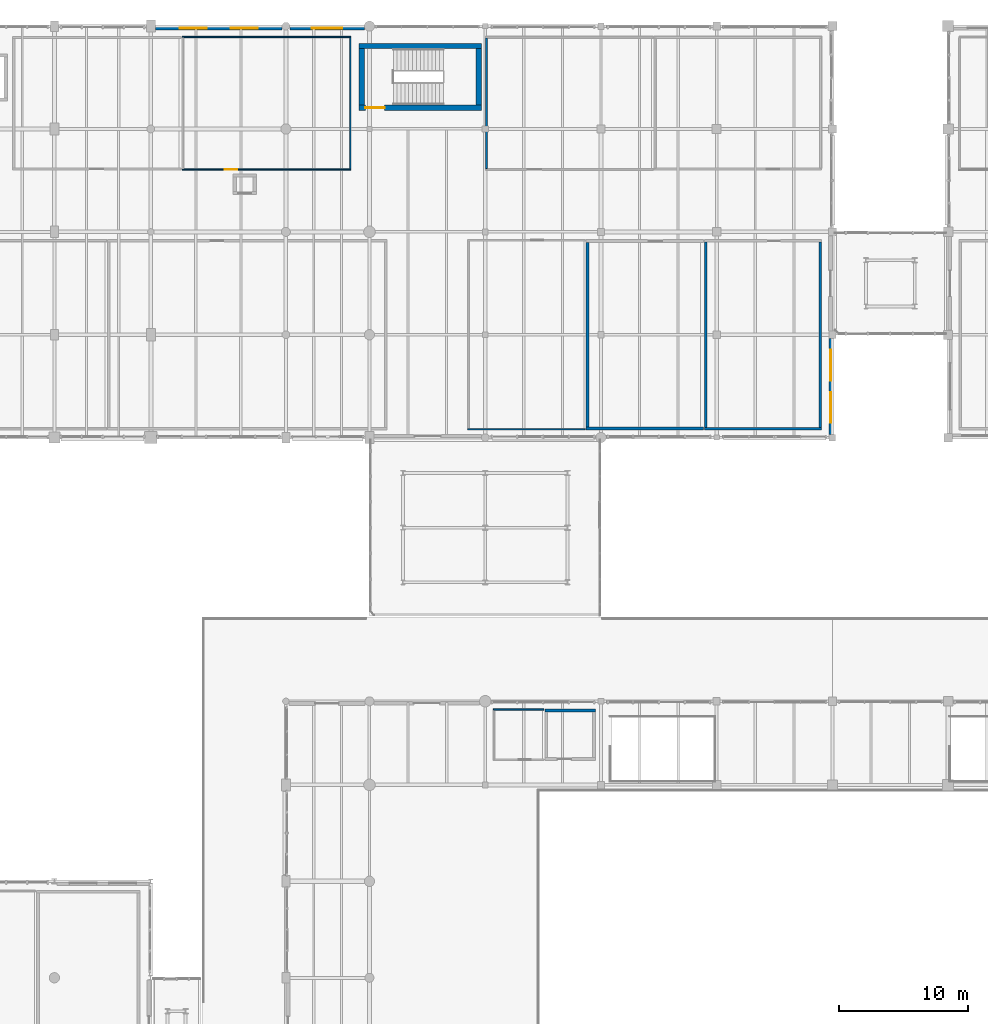
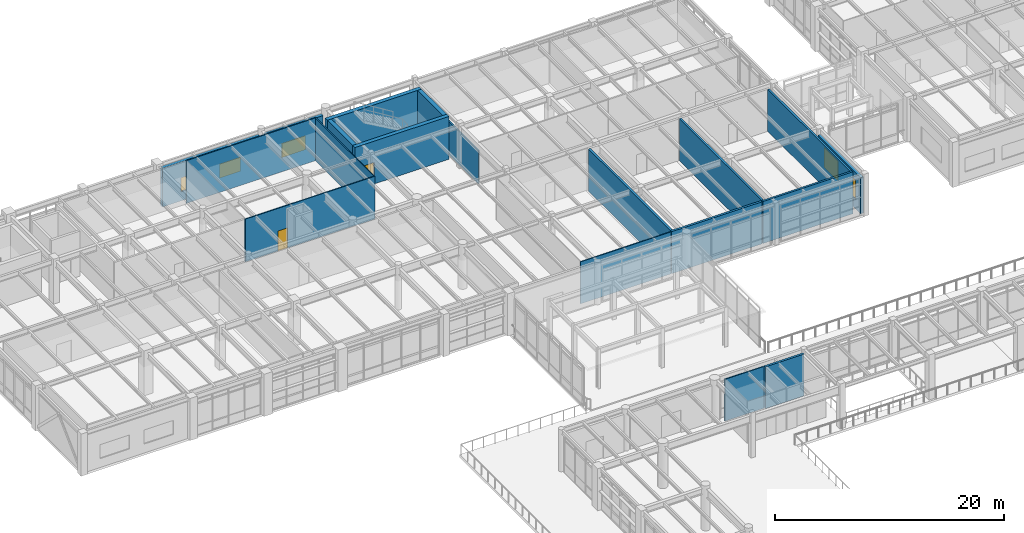
# One storey, part 176 of 200: 19 walls, 5 windows, 2 doors, 7 openings.
"""IFC4 building model written with IfcOpenShell, lengths in metres."""

from ifc_helpers import new_model, si_unit, direction, frame, frame_2d, origin, place, context, subcontext, project, spatial, rectangle, extrude, material, layer, layer_set, type_object, element, fill, save


model = new_model("IFC4")

# Units and contexts
model_context = context("Model", 3, precision=1e-05, world=origin(), true_north=direction((0.0, 1.0)))
body_context = subcontext(model_context, "Body", "Model", "MODEL_VIEW")
ifc_project = project(units=[si_unit("LENGTHUNIT", "METRE"), si_unit("AREAUNIT", "SQUARE_METRE"), si_unit("VOLUMEUNIT", "CUBIC_METRE"), si_unit("PLANEANGLEUNIT", "RADIAN"), si_unit("MASSUNIT", "GRAM", prefix="KILO"), si_unit("THERMODYNAMICTEMPERATUREUNIT", "KELVIN"), si_unit("POWERUNIT", "WATT")], contexts=[model_context])

# Site, building, storey
site_placement = place(None, origin())
site = spatial("IfcSite", under=ifc_project, at=site_placement, CompositionType="ELEMENT")
building_placement = place(site_placement, origin())
building = spatial("IfcBuilding", under=site, at=building_placement, Name="Tepalcoro Natatorium and Aquatics Centre", CompositionType="ELEMENT")
storey_placement = place(building_placement, frame((0.0, 0.0, 5.39990234375)))
storey = spatial("IfcBuildingStorey", under=building, at=storey_placement, Name="L01", CompositionType="ELEMENT", Elevation=5.39990234375)

# Wall, openings, windows
ifc_material_1 = material(Name="Precast Concrete C45/55 (fc 45 MPa)", Category="concrete")
ifc_layer_1 = layer(ifc_material_1, 0.284912109375)
ifc_layer_set_1 = layer_set([ifc_layer_1], Name="Precast Concrete C45/55 (fc 45 MPa)")
wall_type_1 = type_object("IfcWallType", Name="WL_EXT_INSUL_280", PredefinedType="SOLIDWALL", material=ifc_layer_set_1)
wall_1_placement = place(storey_placement, frame((88.857421875, 86.25390625, 0.0), z_axis=(0.0, 0.0, 1.0), x_axis=(0.0, 1.0, 0.0)))
wall_1 = element("IfcWall", 1, at=wall_1_placement, inside=storey, type_object=wall_type_1, Name="V4 L01 E Volcanic Basalt Envelope Wall", PredefinedType="SOLIDWALL", context=body_context, shape_type="SweptSolid", body=[
    extrude(rectangle(XDim=7.467041015625, YDim=0.284912109375, at=frame_2d((3.7333984375, 0.0))), origin(), (0.0, 0.0, 1.0), 3.858154296875),
])
opening_1_placement = place(wall_1_placement, frame((0.888916015625, 0.0, 0.949951171875)))
opening_1 = element("IfcOpeningElement", 2, at=opening_1_placement, cuts=wall_1, Name="Opening W0077A", PredefinedType="OPENING", context=body_context, shape_type="SweptSolid", body=[
    extrude(rectangle(XDim=2.39990234375, YDim=2.10009765625, at=frame_2d((1.199951171875, 1.050048828125))), frame((0.0, 0.154296875, 0.0), z_axis=(0.0, -1.0, 0.0), x_axis=(1.0, 0.0, 0.0)), (0.0, 0.0, 1.0), 0.308837890625),
])
opening_2_placement = place(wall_1_placement, frame((4.177978515625, 0.0, 0.949951171875)))
opening_2 = element("IfcOpeningElement", 3, at=opening_2_placement, cuts=wall_1, Name="Opening W0077B", PredefinedType="OPENING", context=body_context, shape_type="SweptSolid", body=[
    extrude(rectangle(XDim=2.39990234375, YDim=2.10009765625, at=frame_2d((1.199951171875, 1.050048828125))), frame((0.0, 0.154296875, 0.0), z_axis=(0.0, -1.0, 0.0), x_axis=(1.0, 0.0, 0.0)), (0.0, 0.0, 1.0), 0.308837890625),
])
ifc_material_2 = material(Name="Solar-Control Bronze Tempered Low-E Double Glazing", Category="glass")
window_type_1 = type_object("IfcWindowType", Name="WN_240x210", PartitioningType="SINGLE_PANEL", PredefinedType="WINDOW", material=ifc_material_2)
window_1_placement = place(opening_1_placement, origin())
window_1 = element("IfcWindow", 4, at=window_1_placement, inside=storey, type_object=window_type_1, Name="Exterior Thermal Window WN_240x210", OverallHeight=2.10009765625, OverallWidth=2.39990234375, PartitioningType="SINGLE_PANEL", PredefinedType="WINDOW", context=body_context, shape_type="SweptSolid", body=[
    extrude(rectangle(XDim=2.39990234375, YDim=2.10009765625, at=frame_2d((1.199951171875, 1.050048828125))), frame((0.0, 0.030029296875, 0.0), z_axis=(0.0, -1.0, 0.0), x_axis=(1.0, 0.0, 0.0)), (0.0, 0.0, 1.0), 0.06005859375),
])
fill(opening_1, window_1)
window_2_placement = place(opening_2_placement, origin())
window_2 = element("IfcWindow", 5, at=window_2_placement, inside=storey, type_object=window_type_1, Name="Exterior Thermal Window WN_240x210", OverallHeight=2.10009765625, OverallWidth=2.39990234375, PartitioningType="SINGLE_PANEL", PredefinedType="WINDOW", context=body_context, shape_type="SweptSolid", body=[
    extrude(rectangle(XDim=2.39990234375, YDim=2.10009765625, at=frame_2d((1.199951171875, 1.050048828125))), frame((0.0, 0.030029296875, 0.0), z_axis=(0.0, -1.0, 0.0), x_axis=(1.0, 0.0, 0.0)), (0.0, 0.0, 1.0), 0.06005859375),
])
fill(opening_2, window_2)

ifc_material_3 = material(Name="Jalisco Cantera Rosa Volcanic Tuff Ashlar Masonry", Category="masonry")
ifc_layer_2 = layer(ifc_material_3, 0.320068359375)
ifc_layer_set_2 = layer_set([ifc_layer_2], Name="Jalisco Cantera Rosa Volcanic Tuff Ashlar Masonry")
wall_type_2 = type_object("IfcWallType", Name="WL_EXT_STONE_320", PredefinedType="SOLIDWALL", material=ifc_layer_set_2)
wall_2_placement = place(storey_placement, frame((36.35400390625, 117.840087890625, 0.0), z_axis=(0.0, 0.0, 1.0), x_axis=(1.0, 0.0, 0.0)))
wall_2 = element("IfcWall", 6, at=wall_2_placement, inside=storey, type_object=wall_type_2, Name="V4 L01 N Volcanic Basalt Envelope Wall", PredefinedType="SOLIDWALL", context=body_context, shape_type="SweptSolid", body=[
    extrude(rectangle(XDim=9.842041015625, YDim=0.320068359375, at=frame_2d((4.9208984375, 0.0))), origin(), (0.0, 0.0, 1.0), 4.13720703125),
])
opening_3_placement = place(wall_2_placement, frame((1.880615234375, 0.0, 0.949951171875)))
opening_3 = element("IfcOpeningElement", 7, at=opening_3_placement, cuts=wall_2, Name="Opening W0074A", PredefinedType="OPENING", context=body_context, shape_type="SweptSolid", body=[
    extrude(rectangle(XDim=2.10009765625, YDim=1.5, at=frame_2d((1.050048828125, 0.75))), frame((0.0, 0.171875, 0.0), z_axis=(0.0, -1.0, 0.0), x_axis=(1.0, 0.0, 0.0)), (0.0, 0.0, 1.0), 0.343994140625),
])
opening_4_placement = place(wall_2_placement, frame((5.861328125, 0.0, 0.949951171875)))
opening_4 = element("IfcOpeningElement", 8, at=opening_4_placement, cuts=wall_2, Name="Opening W0074B", PredefinedType="OPENING", context=body_context, shape_type="SweptSolid", body=[
    extrude(rectangle(XDim=2.10009765625, YDim=1.5, at=frame_2d((1.050048828125, 0.75))), frame((0.0, 0.171875, 0.0), z_axis=(0.0, -1.0, 0.0), x_axis=(1.0, 0.0, 0.0)), (0.0, 0.0, 1.0), 0.343994140625),
])
window_type_2 = type_object("IfcWindowType", Name="WN_210x150", PartitioningType="SINGLE_PANEL", PredefinedType="WINDOW", material=ifc_material_2)
window_3_placement = place(opening_3_placement, origin())
window_3 = element("IfcWindow", 9, at=window_3_placement, inside=storey, type_object=window_type_2, Name="Exterior Thermal Window WN_210x150", OverallHeight=1.5, OverallWidth=2.10009765625, PartitioningType="SINGLE_PANEL", PredefinedType="WINDOW", context=body_context, shape_type="SweptSolid", body=[
    extrude(rectangle(XDim=2.10009765625, YDim=1.5, at=frame_2d((1.050048828125, 0.75))), frame((0.0, 0.030029296875, 0.0), z_axis=(0.0, -1.0, 0.0), x_axis=(1.0, 0.0, 0.0)), (0.0, 0.0, 1.0), 0.06005859375),
])
fill(opening_3, window_3)
window_4_placement = place(opening_4_placement, origin())
window_4 = element("IfcWindow", 10, at=window_4_placement, inside=storey, type_object=window_type_2, Name="Exterior Thermal Window WN_210x150", OverallHeight=1.5, OverallWidth=2.10009765625, PartitioningType="SINGLE_PANEL", PredefinedType="WINDOW", context=body_context, shape_type="SweptSolid", body=[
    extrude(rectangle(XDim=2.10009765625, YDim=1.5, at=frame_2d((1.050048828125, 0.75))), frame((0.0, 0.030029296875, 0.0), z_axis=(0.0, -1.0, 0.0), x_axis=(1.0, 0.0, 0.0)), (0.0, 0.0, 1.0), 0.06005859375),
])
fill(opening_4, window_4)

# Wall, opening, window
wall_3_placement = place(storey_placement, frame((46.803955078125, 117.840087890625, 0.0), z_axis=(0.0, 0.0, 1.0), x_axis=(1.0, 0.0, 0.0)))
wall_3 = element("IfcWall", 11, at=wall_3_placement, inside=storey, type_object=wall_type_2, Name="V4 L01 N Volcanic Basalt Envelope Wall", PredefinedType="SOLIDWALL", context=body_context, shape_type="SweptSolid", body=[
    extrude(rectangle(XDim=5.7919921875, YDim=0.320068359375, at=frame_2d((2.89599609375, 0.0))), origin(), (0.0, 0.0, 1.0), 4.090087890625),
])
opening_5_placement = place(wall_3_placement, frame((1.696044921875, 0.0, 0.949951171875)))
opening_5 = element("IfcOpeningElement", 12, at=opening_5_placement, cuts=wall_3, Name="Opening W0075", PredefinedType="OPENING", context=body_context, shape_type="SweptSolid", body=[
    extrude(rectangle(XDim=2.39990234375, YDim=1.5, at=frame_2d((1.199951171875, 0.75))), frame((0.0, 0.171875, 0.0), z_axis=(0.0, -1.0, 0.0), x_axis=(1.0, 0.0, 0.0)), (0.0, 0.0, 1.0), 0.343994140625),
])
window_type_3 = type_object("IfcWindowType", Name="WN_240x150", PartitioningType="SINGLE_PANEL", PredefinedType="WINDOW", material=ifc_material_2)
window_5_placement = place(opening_5_placement, origin())
window_5 = element("IfcWindow", 13, at=window_5_placement, inside=storey, type_object=window_type_3, Name="Exterior Thermal Window WN_240x150", OverallHeight=1.5, OverallWidth=2.39990234375, PartitioningType="SINGLE_PANEL", PredefinedType="WINDOW", context=body_context, shape_type="SweptSolid", body=[
    extrude(rectangle(XDim=2.39990234375, YDim=1.5, at=frame_2d((1.199951171875, 0.75))), frame((0.0, 0.030029296875, 0.0), z_axis=(0.0, -1.0, 0.0), x_axis=(1.0, 0.0, 0.0)), (0.0, 0.0, 1.0), 0.06005859375),
])
fill(opening_5, window_5)

# Walls
ifc_material_4 = material(Name="Moisture-Resistant Acoustic Gypsum Drywall on Cold-Formed Metal Studs")
ifc_layer_3 = layer(ifc_material_4, 0.10009765625)
ifc_layer_set_3 = layer_set([ifc_layer_3], Name="Moisture-Resistant Acoustic Gypsum Drywall on Cold-Formed Metal Studs")
wall_type_3 = type_object("IfcWallType", Name="WL_PART_100", PredefinedType="PARTITIONING", material=ifc_layer_set_3)
wall_4_placement = place(storey_placement, frame((62.639892578125, 64.85009765625, 0.0), z_axis=(0.0, 0.0, 1.0), x_axis=(1.0, 0.0, 0.0)))
element("IfcWall", 14, at=wall_4_placement, inside=storey, type_object=wall_type_3, Name="North Concourse Espresso Bar NW Partition N", PredefinedType="PARTITIONING", context=body_context, shape_type="SweptSolid", body=[
    extrude(rectangle(XDim=3.920166015625, YDim=0.10009765625, at=frame_2d((1.9599609375, 0.0))), origin(), (0.0, 0.0, 1.0), 4.465087890625),
])
wall_5_placement = place(storey_placement, frame((60.639892578125, 86.64990234375, 0.0), z_axis=(0.0, 0.0, 1.0), x_axis=(1.0, 0.0, 0.0)))
element("IfcWall", 15, at=wall_5_placement, inside=storey, type_object=wall_type_3, Name="Pilates, Mobility & Balance Studio Partition S", PredefinedType="PARTITIONING", context=body_context, shape_type="SweptSolid", body=[
    extrude(rectangle(XDim=9.1201171875, YDim=0.10009765625, at=frame_2d((4.56005859375, 0.0))), origin(), (0.0, 0.0, 1.0), 4.485107421875),
])

# Wall, opening, door
wall_6_placement = place(storey_placement, frame((38.43994140625, 106.85009765625, 0.0), z_axis=(0.0, 0.0, 1.0), x_axis=(1.0, 0.0, 0.0)))
wall_6 = element("IfcWall", 16, at=wall_6_placement, inside=storey, type_object=wall_type_3, Name="Athlete Nutrition Bar & Recovery Lounge Partition S", PredefinedType="PARTITIONING", context=body_context, shape_type="SweptSolid", body=[
    extrude(rectangle(XDim=13.1201171875, YDim=0.10009765625, at=frame_2d((6.56005859375, 0.0))), origin(), (0.0, 0.0, 1.0), 4.565185546875),
])
opening_6_placement = place(wall_6_placement, frame((3.3173828125, 0.0, 0.0)))
opening_6 = element("IfcOpeningElement", 17, at=opening_6_placement, cuts=wall_6, Name="Opening D0141", PredefinedType="OPENING", context=body_context, shape_type="SweptSolid", body=[
    extrude(rectangle(XDim=0.949951171875, YDim=2.14990234375, at=frame_2d((0.47509765625, 1.074951171875))), frame((0.0, 0.06201171875, 0.0), z_axis=(0.0, -1.0, 0.0), x_axis=(1.0, 0.0, 0.0)), (0.0, 0.0, 1.0), 0.1240234375),
])
ifc_material_5 = material(Name="Solid-Core Moisture-Sealed Oak Timber Leaf in Aluminium Frame", Category="wood")
door_type_1 = type_object("IfcDoorType", Name="DR_095x215_OFFICE", OperationType="NOTDEFINED", PredefinedType="DOOR", material=ifc_material_5)
door_1_placement = place(opening_6_placement, origin())
door_1 = element("IfcDoor", 18, at=door_1_placement, inside=storey, type_object=door_type_1, Name="Athlete Nutrition Bar & Recovery Lounge Door", OperationType="SINGLE_SWING_LEFT", OverallHeight=2.14990234375, OverallWidth=0.949951171875, PredefinedType="DOOR", context=body_context, shape_type="SweptSolid", body=[
    extrude(rectangle(XDim=0.949951171875, YDim=2.14990234375, at=frame_2d((0.47509765625, 1.074951171875))), frame((0.0, 0.02490234375, 0.0), z_axis=(0.0, -1.0, 0.0), x_axis=(1.0, 0.0, 0.0)), (0.0, 0.0, 1.0), 0.050048828125),
])
fill(opening_6, door_1)

# Walls
wall_7_placement = place(storey_placement, frame((38.43994140625, 117.14990234375, 0.0), z_axis=(0.0, 0.0, 1.0), x_axis=(1.0, 0.0, 0.0)))
element("IfcWall", 19, at=wall_7_placement, inside=storey, type_object=wall_type_3, Name="Athlete Nutrition Bar & Recovery Lounge Partition N", PredefinedType="PARTITIONING", context=body_context, shape_type="SweptSolid", body=[
    extrude(rectangle(XDim=13.1201171875, YDim=0.10009765625, at=frame_2d((6.56005859375, 0.0))), origin(), (0.0, 0.0, 1.0), 4.565185546875),
])
wall_8_placement = place(storey_placement, frame((51.510009765625, 106.89990234375, 0.0), z_axis=(0.0, 0.0, 1.0), x_axis=(0.0, 1.0, 0.0)))
element("IfcWall", 20, at=wall_8_placement, inside=storey, type_object=wall_type_3, Name="Athlete Nutrition Bar & Recovery Lounge Partition E", PredefinedType="PARTITIONING", context=body_context, shape_type="SweptSolid", body=[
    extrude(rectangle(XDim=10.2001953125, YDim=0.10009765625, at=frame_2d((5.10009765625, 0.0))), origin(), (0.0, 0.0, 1.0), 4.565185546875),
])
ifc_layer_4 = layer(ifc_material_4, 0.125)
ifc_layer_set_4 = layer_set([ifc_layer_4], Name="Moisture-Resistant Acoustic Gypsum Drywall on Cold-Formed Metal Studs")
wall_type_4 = type_object("IfcWallType", Name="WL_PART_125", PredefinedType="PARTITIONING", material=ifc_layer_set_4)
wall_9_placement = place(storey_placement, frame((62.1025390625, 106.925048828125, 0.0), z_axis=(0.0, 0.0, 1.0), x_axis=(0.0, 1.0, 0.0)))
element("IfcWall", 21, at=wall_9_placement, inside=storey, type_object=wall_type_4, Name="National Swim Federation Coaching Suite Partition W", PredefinedType="PARTITIONING", context=body_context, shape_type="SweptSolid", body=[
    extrude(rectangle(XDim=10.14990234375, YDim=0.125, at=frame_2d((5.074951171875, 0.0))), origin(), (0.0, 0.0, 1.0), 3.551025390625),
])
ifc_material_6 = material(Name="Ceramic-Tiled Moisture-Resistant Masonry Blockwork", Category="masonry")
ifc_layer_5 = layer(ifc_material_6, 0.199951171875)
ifc_layer_set_5 = layer_set([ifc_layer_5], Name="Ceramic-Tiled Moisture-Resistant Masonry Blockwork")
wall_type_5 = type_object("IfcWallType", Name="WL_PLUMB_200", PredefinedType="PLUMBINGWALL", material=ifc_layer_set_5)
wall_10_placement = place(storey_placement, frame((79.0400390625, 86.699951171875, 0.0), z_axis=(0.0, 0.0, 1.0), x_axis=(1.0, 0.0, 0.0)))
element("IfcWall", 22, at=wall_10_placement, inside=storey, type_object=wall_type_5, Name="Gym Accessible WC & Shower Partition S", PredefinedType="PLUMBINGWALL", context=body_context, shape_type="SweptSolid", body=[
    extrude(rectangle(XDim=9.119873046875, YDim=0.199951171875, at=frame_2d((4.56005859375, 0.0))), origin(), (0.0, 0.0, 1.0), 4.485107421875),
])
for number, where, z_axis, x_axis, name in (
    (23, (88.06005859375, 86.800048828125, 0.0), (0.0, 0.0, 1.0), (0.0, 1.0, 0.0), "Gym Accessible WC & Shower Partition E"),
    (24, (79.139892578125, 86.800048828125, 0.0), (0.0, 0.0, 1.0), (0.0, 1.0, 0.0), "Gym Accessible WC & Shower Partition W"),
):
    element("IfcWall", number, at=place(storey_placement, frame(where, z_axis=z_axis, x_axis=x_axis)), inside=storey, type_object=wall_type_5, Name=name, PredefinedType="PLUMBINGWALL", context=body_context, shape_type="SweptSolid", body=[
        extrude(rectangle(XDim=14.39990234375, YDim=0.199951171875, at=frame_2d((7.199951171875, 0.0))), origin(), (0.0, 0.0, 1.0), 4.485107421875),
    ])
ifc_layer_6 = layer(ifc_material_6, 0.219970703125)
ifc_layer_set_6 = layer_set([ifc_layer_6], Name="Ceramic-Tiled Moisture-Resistant Masonry Blockwork")
wall_type_6 = type_object("IfcWallType", Name="WL_PLUMB_220", PredefinedType="PLUMBINGWALL", material=ifc_layer_set_6)
wall_11_placement = place(storey_placement, frame((66.639892578125, 64.7900390625, 0.0), z_axis=(0.0, 0.0, 1.0), x_axis=(1.0, 0.0, 0.0)))
element("IfcWall", 25, at=wall_11_placement, inside=storey, type_object=wall_type_6, Name="Spectator Toilets & Accessible WC NW Partition N", PredefinedType="PLUMBINGWALL", context=body_context, shape_type="SweptSolid", body=[
    extrude(rectangle(XDim=3.920166015625, YDim=0.219970703125, at=frame_2d((1.9599609375, 0.0))), origin(), (0.0, 0.0, 1.0), 4.465087890625),
])
wall_12_placement = place(storey_placement, frame((69.840087890625, 86.7099609375, 0.0), z_axis=(0.0, 0.0, 1.0), x_axis=(1.0, 0.0, 0.0)))
element("IfcWall", 26, at=wall_12_placement, inside=storey, type_object=wall_type_6, Name="Athlete Dry Changing & Showers Male/Female Partition S", PredefinedType="PLUMBINGWALL", context=body_context, shape_type="SweptSolid", body=[
    extrude(rectangle(XDim=9.119873046875, YDim=0.219970703125, at=frame_2d((4.56005859375, 0.0))), origin(), (0.0, 0.0, 1.0), 4.485107421875),
])
wall_13_placement = place(storey_placement, frame((69.949951171875, 86.820068359375, 0.0), z_axis=(0.0, 0.0, 1.0), x_axis=(0.0, 1.0, 0.0)))
element("IfcWall", 27, at=wall_13_placement, inside=storey, type_object=wall_type_6, Name="Athlete Dry Changing & Showers Male/Female Partition W", PredefinedType="PLUMBINGWALL", context=body_context, shape_type="SweptSolid", body=[
    extrude(rectangle(XDim=14.35986328125, YDim=0.219970703125, at=frame_2d((7.179931640625, 0.0))), origin(), (0.0, 0.0, 1.0), 4.485107421875),
])

# Wall, opening, door
ifc_material_7 = material(Name="Concrete C40/50 (fc 40 MPa)", Category="concrete")
ifc_layer_7 = layer(ifc_material_7, 0.39990234375)
ifc_layer_set_7 = layer_set([ifc_layer_7], Name="Concrete C40/50 (fc 40 MPa)")
wall_type_7 = type_object("IfcWallType", Name="WL_SHEAR_400", PredefinedType="SHEAR", material=ifc_layer_set_7)
wall_14_placement = place(storey_placement, frame((52.199951171875, 111.64990234375, 0.0), z_axis=(0.0, 0.0, 1.0), x_axis=(1.0, 0.0, 0.0)))
wall_14 = element("IfcWall", 28, at=wall_14_placement, inside=storey, type_object=wall_type_7, Name="ST08 Core Shear Wall S L01", PredefinedType="SHEAR", context=body_context, shape_type="SweptSolid", body=[
    extrude(rectangle(XDim=9.5, YDim=0.39990234375, at=frame_2d((4.75, 0.0))), origin(), (0.0, 0.0, 1.0), 4.580078125),
])
opening_7_placement = place(wall_14_placement, frame((0.47998046875, 0.0, 0.0)))
opening_7 = element("IfcOpeningElement", 29, at=opening_7_placement, cuts=wall_14, Name="Opening D0031", PredefinedType="OPENING", context=body_context, shape_type="SweptSolid", body=[
    extrude(rectangle(XDim=1.5, YDim=2.300048828125, at=frame_2d((0.75, 1.14990234375))), frame((0.0, 0.2119140625, 0.0), z_axis=(0.0, -1.0, 0.0), x_axis=(1.0, 0.0, 0.0)), (0.0, 0.0, 1.0), 0.423828125),
])
ifc_material_8 = material(Name="Galvanised Steel Insulated Acoustic Fire Door Assembly", Category="steel")
door_type_2 = type_object("IfcDoorType", Name="DR_150x230_FD60", OperationType="NOTDEFINED", PredefinedType="DOOR", material=ifc_material_8)
door_2_placement = place(opening_7_placement, origin())
door_2 = element("IfcDoor", 30, at=door_2_placement, inside=storey, type_object=door_type_2, Name="ST08 Fire Stair Door (L01)", OperationType="DOUBLE_DOOR_SINGLE_SWING", OverallHeight=2.300048828125, OverallWidth=1.5, PredefinedType="DOOR", context=body_context, shape_type="SweptSolid", body=[
    extrude(rectangle(XDim=1.5, YDim=2.300048828125, at=frame_2d((0.75, 1.14990234375))), frame((0.0, 0.02490234375, 0.0), z_axis=(0.0, -1.0, 0.0), x_axis=(1.0, 0.0, 0.0)), (0.0, 0.0, 1.0), 0.050048828125),
])
fill(opening_7, door_2)

# Walls
wall_15_placement = place(storey_placement, frame((52.199951171875, 116.449951171875, 0.0), z_axis=(0.0, 0.0, 1.0), x_axis=(1.0, 0.0, 0.0)))
element("IfcWall", 31, at=wall_15_placement, inside=storey, type_object=wall_type_7, Name="ST08 Core Shear Wall N L01", PredefinedType="SHEAR", context=body_context, shape_type="SweptSolid", body=[
    extrude(rectangle(XDim=9.5, YDim=0.39990234375, at=frame_2d((4.75, 0.0))), origin(), (0.0, 0.0, 1.0), 4.580078125),
])
for number, where, z_axis, x_axis, name in (
    (32, (52.39990234375, 111.85009765625, 0.0), (0.0, 0.0, 1.0), (0.0, 1.0, 0.0), "ST08 Core Shear Wall W L01"),
    (33, (61.5, 111.85009765625, 0.0), (0.0, 0.0, 1.0), (0.0, 1.0, 0.0), "ST08 Core Shear Wall E L01"),
):
    element("IfcWall", number, at=place(storey_placement, frame(where, z_axis=z_axis, x_axis=x_axis)), inside=storey, type_object=wall_type_7, Name=name, PredefinedType="SHEAR", context=body_context, shape_type="SweptSolid", body=[
        extrude(rectangle(XDim=4.39990234375, YDim=0.39990234375, at=frame_2d((2.199951171875, 0.0))), origin(), (0.0, 0.0, 1.0), 4.580078125),
    ])

save(model, "model.ifc")
